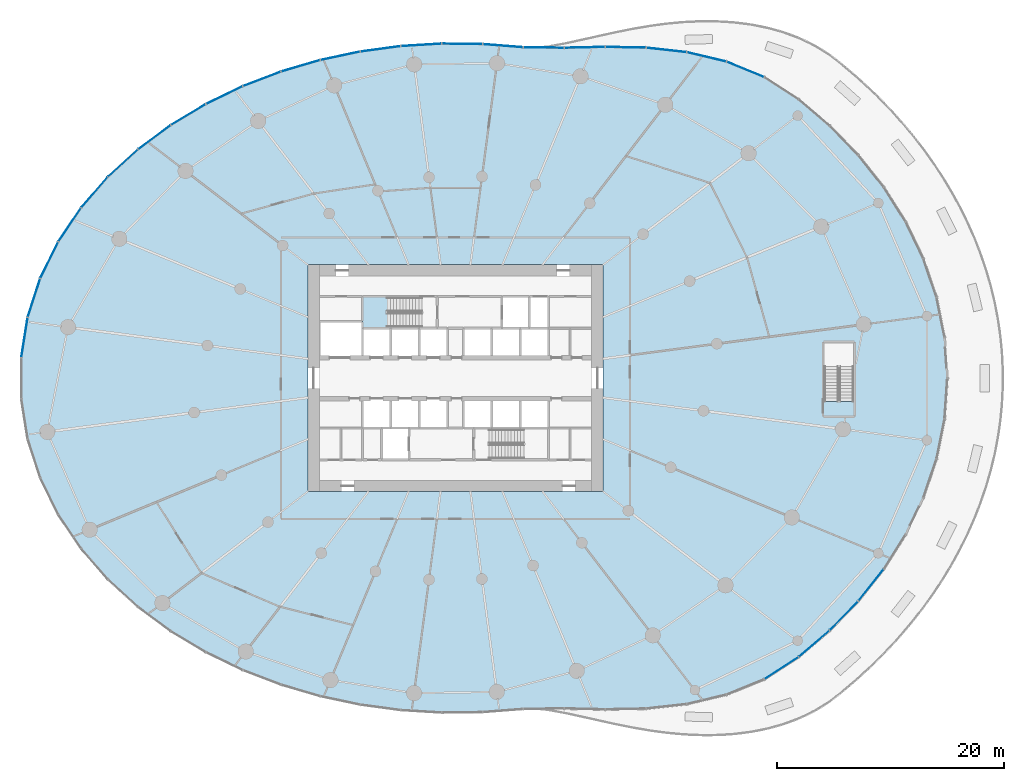
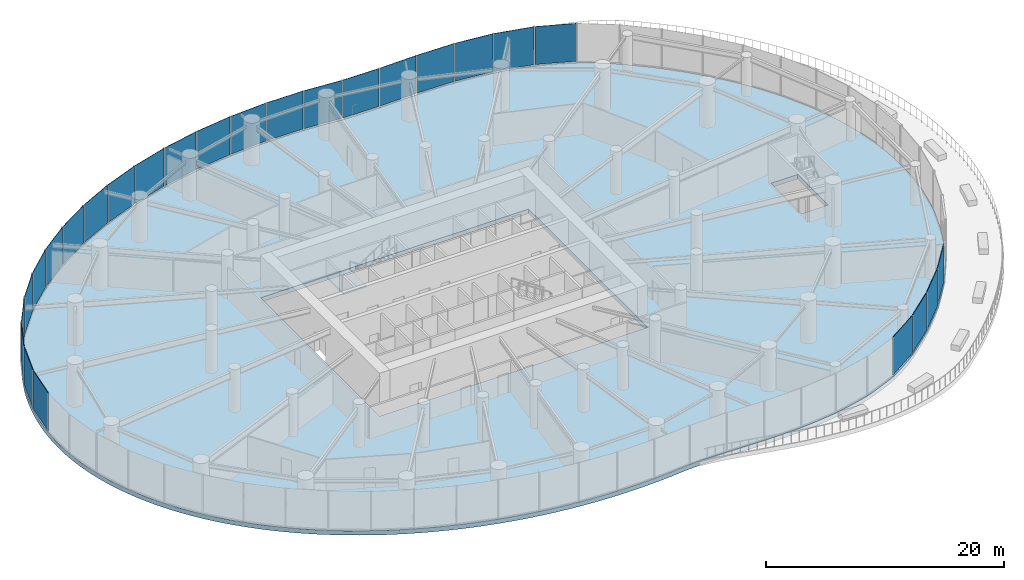
# One storey, part 9 of 19: 26 plates, 2 slabs, 7 elements without a shape of their own.
"""IFC4 building model written with IfcOpenShell, lengths in metres."""

from ifc_helpers import new_model, si_unit, direction, frame, origin, origin_2d, place, context, subcontext, project, spatial, line, indexed_curve, rectangle, outline, extrude, source, transform, mapped, material, layer, layer_set, type_object, element, aggregate, save


model = new_model("IFC4")

# Units and contexts
model_context = context("Model", 3, precision=1e-05, world=origin(), true_north=direction((0.0, 1.0)))
body_context = subcontext(model_context, "Body", "Model", "MODEL_VIEW")
ifc_project = project(units=[si_unit("LENGTHUNIT", "METRE"), si_unit("AREAUNIT", "SQUARE_METRE"), si_unit("VOLUMEUNIT", "CUBIC_METRE"), si_unit("PLANEANGLEUNIT", "RADIAN"), si_unit("MASSUNIT", "GRAM", prefix="KILO")], contexts=[model_context])

# Site, building, storey
site_placement = place(None, origin())
site = spatial("IfcSite", under=ifc_project, at=site_placement, CompositionType="ELEMENT")
building_placement = place(site_placement, origin())
building = spatial("IfcBuilding", under=site, at=building_placement, Name="Spindrift Exchange Tower", CompositionType="ELEMENT")
storey_placement = place(building_placement, frame((0.0, 0.0, 13.800048828125)))
storey = spatial("IfcBuildingStorey", under=building, at=storey_placement, Name="L03", CompositionType="ELEMENT", Elevation=13.800048828125)

# Slab
ifc_material_1 = material(Name="Concrete 50 MPa", Category="concrete")
ifc_layer_1 = layer(ifc_material_1, 0.449951171875)
ifc_layer_set_1 = layer_set([ifc_layer_1], Name="RC Floor Slab 450 Concrete 50 MPa")
slab_type_1 = type_object("IfcSlabType", Name="RC Floor Slab 450 Concrete 50 MPa", PredefinedType="FLOOR", material=ifc_layer_set_1)
slab_1_placement = place(storey_placement, frame((0.0, 0.0, -0.449951171875)))
element("IfcSlab", 1, at=slab_1_placement, inside=storey, type_object=slab_type_1, Name="Floor slab L03", PredefinedType="FLOOR", context=body_context, shape_type="SweptSolid", body=[
    extrude(outline(indexed_curve([(95.35009765625, 48.0), (95.33935546875, 48.756591796875), (95.3076171875, 49.51220703125), (95.25439453125, 50.266845703125), (95.180419921875, 51.01953125), (95.085205078125, 51.76953125), (94.969482421875, 52.516357421875), (94.833251953125, 53.25927734375), (94.677001953125, 53.997802734375), (94.50048828125, 54.7314453125), (94.304443359375, 55.45947265625), (94.08935546875, 56.181396484375), (93.85546875, 56.896728515625), (93.603271484375, 57.60498046875), (93.3330078125, 58.305419921875), (93.04541015625, 58.998046875), (92.74072265625, 59.68212890625), (92.419921875, 60.357666015625), (92.0830078125, 61.023681640625), (91.730712890625, 61.680419921875), (91.36376953125, 62.327392578125), (90.982666015625, 62.964111328125), (90.587646484375, 63.59033203125), (90.1796875, 64.206298828125), (89.759033203125, 64.811279296875), (89.326416015625, 65.405517578125), (88.88232421875, 65.98876953125), (88.42724609375, 66.560546875), (87.9619140625, 67.12109375), (87.486572265625, 67.67041015625), (87.001953125, 68.20849609375), (86.508544921875, 68.73486328125), (86.006591796875, 69.249755859375), (85.4970703125, 69.753173828125), (84.97998046875, 70.2451171875), (84.455810546875, 70.725830078125), (83.92529296875, 71.195068359375), (83.388427734375, 71.65283203125), (82.845947265625, 72.099609375), (82.298095703125, 72.534912109375), (81.745361328125, 72.959228515625), (81.180908203125, 73.366455078125), (80.59912109375, 73.750732421875), (80.001708984375, 74.112060546875), (79.39013671875, 74.4501953125), (78.76611328125, 74.76611328125), (78.130859375, 75.059326171875), (77.486328125, 75.330810546875), (76.83349609375, 75.580322265625), (76.174072265625, 75.80908203125), (75.509033203125, 76.01708984375), (74.840087890625, 76.205078125), (74.168212890625, 76.3740234375), (73.494384765625, 76.524169921875), (72.8203125, 76.656494140625), (72.146484375, 76.77197265625), (71.473876953125, 76.871337890625), (70.8037109375, 76.955322265625), (70.136962890625, 77.025146484375), (69.47412109375, 77.08154296875), (68.81591796875, 77.125732421875), (67.51611328125, 77.181884765625), (66.8759765625, 77.19580078125), (65.616943359375, 77.201416015625), (64.388427734375, 77.185302734375), (60.898193359375, 77.1044921875), (59.79736328125, 77.10009765625), (59.25732421875, 77.10791015625), (58.19580078125, 77.14892578125), (57.6728515625, 77.184814453125), (56.121826171875, 77.3291015625), (55.090576171875, 77.404052734375), (54.5751953125, 77.433349609375), (53.544921875, 77.47607421875), (53.02978515625, 77.489501953125), (52.0, 77.5), (50.97021484375, 77.489501953125), (50.455078125, 77.47607421875), (49.4248046875, 77.433349609375), (48.393798828125, 77.369384765625), (47.362060546875, 77.283447265625), (46.328857421875, 77.17578125), (45.294189453125, 77.04541015625), (44.776611328125, 76.971923828125), (43.739501953125, 76.8076171875), (42.700927734375, 76.61962890625), (42.180908203125, 76.5166015625), (41.1396484375, 76.29248046875), (40.096435546875, 76.04296875), (39.0517578125, 75.767578125), (38.005615234375, 75.4658203125), (37.48193359375, 75.304443359375), (36.43408203125, 74.960693359375), (35.385986328125, 74.587890625), (34.337890625, 74.185302734375), (33.814208984375, 73.97216796875), (32.767578125, 73.522216796875), (32.2451171875, 73.284912109375), (31.20263671875, 72.785400390625), (30.682861328125, 72.522705078125), (29.64697265625, 71.970703125), (29.13134765625, 71.68115234375), (28.10595703125, 71.07421875), (27.596435546875, 70.756591796875), (26.585693359375, 70.09228515625), (26.0849609375, 69.745361328125), (25.587646484375, 69.38818359375), (25.093994140625, 69.021240234375), (24.604736328125, 68.643798828125), (24.119873046875, 68.256103515625), (23.639892578125, 67.85791015625), (23.165283203125, 67.44921875), (22.6962890625, 67.030029296875), (22.233642578125, 66.60009765625), (21.77734375, 66.15966796875), (21.328125, 65.70849609375), (20.886474609375, 65.24658203125), (20.452880859375, 64.77392578125), (20.02783203125, 64.29052734375), (19.61181640625, 63.796875), (19.205078125, 63.29248046875), (18.80859375, 62.777587890625), (18.4228515625, 62.252685546875), (18.04833984375, 61.71728515625), (17.685302734375, 61.172119140625), (17.334716796875, 60.6171875), (16.996826171875, 60.052490234375), (16.67236328125, 59.478759765625), (16.36181640625, 58.895751953125), (16.0654296875, 58.30419921875), (15.7841796875, 57.7041015625), (15.5185546875, 57.095947265625), (15.268798828125, 56.47998046875), (15.035400390625, 55.857177734375), (14.818603515625, 55.227294921875), (14.619384765625, 54.59130859375), (14.43798828125, 53.94921875), (14.2744140625, 53.302001953125), (14.12939453125, 52.64990234375), (14.0029296875, 51.99365234375), (13.895751953125, 51.333740234375), (13.8076171875, 50.670654296875), (13.73876953125, 50.005126953125), (13.689453125, 49.337890625), (13.659912109375, 48.669189453125), (13.64990234375, 48.0), (13.659912109375, 47.330810546875), (13.689453125, 46.662109375), (13.73876953125, 45.994873046875), (13.8076171875, 45.329345703125), (13.895751953125, 44.666259765625), (14.0029296875, 44.00634765625), (14.12939453125, 43.35009765625), (14.2744140625, 42.697998046875), (14.43798828125, 42.05078125), (14.619384765625, 41.40869140625), (14.818603515625, 40.772705078125), (15.035400390625, 40.142822265625), (15.268798828125, 39.52001953125), (15.5185546875, 38.904052734375), (15.7841796875, 38.2958984375), (16.0654296875, 37.69580078125), (16.36181640625, 37.104248046875), (16.67236328125, 36.521240234375), (16.996826171875, 35.947509765625), (17.334716796875, 35.3828125), (17.685302734375, 34.827880859375), (18.04833984375, 34.28271484375), (18.4228515625, 33.747314453125), (18.80859375, 33.222412109375), (19.205078125, 32.70751953125), (19.61181640625, 32.203125), (20.02783203125, 31.70947265625), (20.452880859375, 31.22607421875), (20.886474609375, 30.75341796875), (21.328125, 30.29150390625), (21.77734375, 29.84033203125), (22.233642578125, 29.39990234375), (22.6962890625, 28.969970703125), (23.165283203125, 28.55078125), (23.639892578125, 28.14208984375), (24.119873046875, 27.743896484375), (24.604736328125, 27.356201171875), (25.093994140625, 26.978759765625), (25.587646484375, 26.61181640625), (26.0849609375, 26.254638671875), (26.585693359375, 25.90771484375), (27.596435546875, 25.243408203125), (28.10595703125, 24.92578125), (29.13134765625, 24.31884765625), (29.64697265625, 24.029296875), (30.682861328125, 23.477294921875), (31.20263671875, 23.214599609375), (32.2451171875, 22.715087890625), (32.767578125, 22.477783203125), (33.814208984375, 22.02783203125), (34.337890625, 21.814697265625), (35.385986328125, 21.412109375), (36.43408203125, 21.039306640625), (37.48193359375, 20.695556640625), (38.005615234375, 20.5341796875), (39.0517578125, 20.232421875), (40.096435546875, 19.95703125), (41.1396484375, 19.70751953125), (42.180908203125, 19.4833984375), (42.700927734375, 19.38037109375), (43.739501953125, 19.1923828125), (44.776611328125, 19.028076171875), (45.294189453125, 18.95458984375), (46.328857421875, 18.82421875), (47.362060546875, 18.716552734375), (48.393798828125, 18.630615234375), (49.4248046875, 18.566650390625), (50.455078125, 18.52392578125), (50.97021484375, 18.510498046875), (52.0, 18.5), (53.02978515625, 18.510498046875), (53.544921875, 18.52392578125), (54.5751953125, 18.566650390625), (55.090576171875, 18.595947265625), (56.121826171875, 18.6708984375), (57.6728515625, 18.815185546875), (58.19580078125, 18.85107421875), (59.25732421875, 18.89208984375), (59.79736328125, 18.89990234375), (60.898193359375, 18.8955078125), (64.388427734375, 18.814697265625), (65.616943359375, 18.798583984375), (66.8759765625, 18.80419921875), (67.51611328125, 18.818115234375), (68.81591796875, 18.874267578125), (69.47412109375, 18.91845703125), (70.136962890625, 18.974853515625), (70.8037109375, 19.044677734375), (71.473876953125, 19.128662109375), (72.146484375, 19.22802734375), (72.8203125, 19.343505859375), (73.494384765625, 19.475830078125), (74.168212890625, 19.6259765625), (74.840087890625, 19.794921875), (75.509033203125, 19.98291015625), (76.174072265625, 20.19091796875), (76.83349609375, 20.419677734375), (77.486328125, 20.669189453125), (78.130859375, 20.940673828125), (78.76611328125, 21.23388671875), (79.39013671875, 21.5498046875), (80.001708984375, 21.887939453125), (80.59912109375, 22.249267578125), (81.180908203125, 22.633544921875), (81.745361328125, 23.040771484375), (82.298095703125, 23.465087890625), (82.845947265625, 23.900390625), (83.388427734375, 24.34716796875), (83.92529296875, 24.804931640625), (84.455810546875, 25.274169921875), (84.97998046875, 25.7548828125), (85.4970703125, 26.246826171875), (86.006591796875, 26.750244140625), (86.508544921875, 27.26513671875), (87.001953125, 27.79150390625), (87.486572265625, 28.32958984375), (87.9619140625, 28.87890625), (88.42724609375, 29.439453125), (88.88232421875, 30.01123046875), (89.326416015625, 30.594482421875), (89.759033203125, 31.188720703125), (90.1796875, 31.793701171875), (90.587646484375, 32.40966796875), (90.982666015625, 33.035888671875), (91.36376953125, 33.672607421875), (91.730712890625, 34.319580078125), (92.0830078125, 34.976318359375), (92.419921875, 35.642333984375), (92.74072265625, 36.31787109375), (93.04541015625, 37.001953125), (93.3330078125, 37.694580078125), (93.603271484375, 38.39501953125), (93.85546875, 39.103271484375), (94.08935546875, 39.818603515625), (94.304443359375, 40.54052734375), (94.50048828125, 41.2685546875), (94.677001953125, 42.002197265625), (94.833251953125, 42.74072265625), (94.969482421875, 43.483642578125), (95.085205078125, 44.23046875), (95.180419921875, 44.98046875), (95.25439453125, 45.733154296875), (95.3076171875, 46.48779296875), (95.33935546875, 47.243408203125)], segments=[line(1, 2, 3, 4, 5, 6, 7, 8, 9, 10, 11, 12, 13, 14, 15, 16, 17, 18, 19, 20, 21, 22, 23, 24, 25, 26, 27, 28, 29, 30, 31, 32, 33, 34, 35, 36, 37, 38, 39, 40, 41, 42, 43, 44, 45, 46, 47, 48, 49, 50, 51, 52, 53, 54, 55, 56, 57, 58, 59, 60, 61, 62, 63, 64, 65, 66, 67, 68, 69, 70, 71, 72, 73, 74, 75, 76, 77, 78, 79, 80, 81, 82, 83, 84, 85, 86, 87, 88, 89, 90, 91, 92, 93, 94, 95, 96, 97, 98, 99, 100, 101, 102, 103, 104, 105, 106, 107, 108, 109, 110, 111, 112, 113, 114, 115, 116, 117, 118, 119, 120, 121, 122, 123, 124, 125, 126, 127, 128, 129, 130, 131, 132, 133, 134, 135, 136, 137, 138, 139, 140, 141, 142, 143, 144, 145, 146, 147, 148, 149, 150, 151, 152, 153, 154, 155, 156, 157, 158, 159, 160, 161, 162, 163, 164, 165, 166, 167, 168, 169, 170, 171, 172, 173, 174, 175, 176, 177, 178, 179, 180, 181, 182, 183, 184, 185, 186, 187, 188, 189, 190, 191, 192, 193, 194, 195, 196, 197, 198, 199, 200, 201, 202, 203, 204, 205, 206, 207, 208, 209, 210, 211, 212, 213, 214, 215, 216, 217, 218, 219, 220, 221, 222, 223, 224, 225, 226, 227, 228, 229, 230, 231, 232, 233, 234, 235, 236, 237, 238, 239, 240, 241, 242, 243, 244, 245, 246, 247, 248, 249, 250, 251, 252, 253, 254, 255, 256, 257, 258, 259, 260, 261, 262, 263, 264, 265, 266, 267, 268, 269, 270, 271, 272, 273, 274, 275, 276, 277, 278, 279, 280, 281, 282, 283, 284, 285, 286, 287, 288, 289, 290, 1)], self_intersect=False), holes=[indexed_curve([(39.0, 38.0), (65.0, 38.0), (65.0, 58.0), (39.0, 58.0)], segments=[line(1, 2, 3, 4, 1)], self_intersect=False), indexed_curve([(87.093994140625, 45.9560546875), (84.506103515625, 45.9560546875), (84.506103515625, 51.093994140625), (87.093994140625, 51.093994140625)], segments=[line(1, 2, 3, 4, 1)], self_intersect=False)]), origin(), (0.0, 0.0, 1.0), 0.449951171875),
])

# Stair, slab
stair_type = type_object("IfcStairType", Name="ST-1250-R183", PredefinedType="HALF_TURN_STAIR", material=ifc_material_1)
stair_placement = place(storey_placement, origin())
stair = element("IfcStair", 2, at=stair_placement, inside=storey, type_object=stair_type, Name="L03 Exit stair ST1", PredefinedType="HALF_TURN_STAIR")
ifc_layer_2 = layer(ifc_material_1, 0.199951171875)
ifc_layer_set_2 = layer_set([ifc_layer_2], Name="SL-LANDING")
slab_type_2 = type_object("IfcSlabType", Name="SL-LANDING", PredefinedType="LANDING", material=ifc_layer_set_2)
slab_2_placement = place(storey_placement, frame((0.0, 0.0, 2.0)))
slab_2 = element("IfcSlab", 3, at=slab_2_placement, type_object=slab_type_2, Name="ST1 landing 1", PredefinedType="LANDING", context=body_context, shape_type="SweptSolid", body=[
    extrude(outline(indexed_curve([(46.050048828125, 52.39990234375), (43.800048828125, 52.39990234375), (43.800048828125, 55.199951171875), (46.050048828125, 55.199951171875)], segments=[line(1, 2, 3, 4, 1)], self_intersect=False)), origin(), (0.0, 0.0, 1.0), 0.199951171875),
])
aggregate(stair, [slab_2])

# Curtain wall, plate
ifc_material_2 = material(Name="Fritted laminated glass with bronze frame", Category="glass")
ifc_layer_3 = layer(ifc_material_2, 0.219970703125)
ifc_layer_set_3 = layer_set([ifc_layer_3], Name="PODIUM BRONZE GLAZED WALL")
curtain_wall_type = type_object("IfcCurtainWallType", Name="PODIUM BRONZE GLAZED WALL", PredefinedType="NOTDEFINED", material=ifc_layer_set_3)
curtain_wall_1_placement = place(storey_placement, origin())
curtain_wall_1 = element("IfcCurtainWall", 4, at=curtain_wall_1_placement, inside=storey, type_object=curtain_wall_type, Name="L03 Podium Bronze Glazed Wall run 5", PredefinedType="NOTDEFINED")
ifc_material_3 = material(Name="Bronze fritted laminated glass, dense frit", Category="glass")
ifc_layer_4 = layer(ifc_material_3, 0.0400390625)
ifc_layer_set_4 = layer_set([ifc_layer_4], Name="PODIUM BRONZE GLAZED WALL PANEL DENSE FRIT 420")
plate_type_1 = type_object("IfcPlateType", Name="PODIUM BRONZE GLAZED WALL PANEL DENSE FRIT 420", PredefinedType="CURTAIN_PANEL", material=ifc_layer_set_4)
shared_shape_1 = source(origin(), body_context, "Body", "SweptSolid", [
    extrude(rectangle(XDim=3.514404296875, YDim=0.0400390625, at=origin_2d()), origin(), (0.0, 0.0, 1.0), 3.889892578125),
])
plate_1_placement = place(storey_placement, frame((20.173583984375, 64.37548828125, 0.16015625), z_axis=(0.0, 0.0, 1.0), x_axis=(-0.655875916564, -0.754868718435, 0.0)))
plate_1 = element("IfcPlate", 5, at=plate_1_placement, type_object=plate_type_1, Name="L03 panel CW-P.27", PredefinedType="CURTAIN_PANEL", context=body_context, shape_type="MappedRepresentation", body=[
    mapped(shared_shape_1, transform((0.0, 0.0, 0.0), scale=1.0)),
])

# Curtain wall, plates
curtain_wall_2_placement = place(storey_placement, origin())
curtain_wall_2 = element("IfcCurtainWall", 6, at=curtain_wall_2_placement, inside=storey, type_object=curtain_wall_type, Name="L03 Podium Bronze Glazed Wall run 10", PredefinedType="NOTDEFINED")
ifc_layer_5 = layer(ifc_material_3, 0.0400390625)
ifc_layer_set_5 = layer_set([ifc_layer_5], Name="PODIUM BRONZE GLAZED WALL PANEL DENSE FRIT 180")
plate_type_2 = type_object("IfcPlateType", Name="PODIUM BRONZE GLAZED WALL PANEL DENSE FRIT 180", PredefinedType="CURTAIN_PANEL", material=ifc_layer_set_5)
shared_shape_2 = source(origin(), body_context, "Body", "SweptSolid", [
    extrude(rectangle(XDim=3.51513671875, YDim=0.0400390625, at=origin_2d()), origin(), (0.0, 0.0, 1.0), 3.889892578125),
])
plate_2_placement = place(storey_placement, frame((86.242431640625, 27.05224609375, 0.16015625), z_axis=(0.0, 0.0, 1.0), x_axis=(0.697303977972, 0.716775531324, 0.0)))
plate_2 = element("IfcPlate", 7, at=plate_2_placement, type_object=plate_type_2, Name="L03 panel CW-P.57", PredefinedType="CURTAIN_PANEL", context=body_context, shape_type="MappedRepresentation", body=[
    mapped(shared_shape_2, transform((0.0, 0.0, 0.0), scale=1.0)),
])
plate_3_placement = place(storey_placement, frame((88.62109375, 29.755126953125, 0.16015625), z_axis=(0.0, 0.0, 1.0), x_axis=(0.622290602078, 0.782786309643, 0.0)))
plate_3 = element("IfcPlate", 8, at=plate_3_placement, type_object=plate_type_2, Name="L03 panel CW-P.58", PredefinedType="CURTAIN_PANEL", context=body_context, shape_type="MappedRepresentation", body=[
    mapped(shared_shape_2, transform((0.0, 0.0, 0.0), scale=1.0)),
])

# Curtain wall, plate
curtain_wall_3_placement = place(storey_placement, origin())
curtain_wall_3 = element("IfcCurtainWall", 9, at=curtain_wall_3_placement, inside=storey, type_object=curtain_wall_type, Name="L03 Podium Bronze Glazed Wall run 3", PredefinedType="NOTDEFINED")
shared_shape_3 = source(origin(), body_context, "Body", "SweptSolid", [
    extrude(rectangle(XDim=3.515380859375, YDim=0.0400390625, at=origin_2d()), origin(), (0.0, 0.0, 1.0), 3.889892578125),
])
plate_4_placement = place(storey_placement, frame((59.783203125, 77.140380859375, 0.16015625), z_axis=(0.0, 0.0, 1.0), x_axis=(-0.999916461609, 0.012925548502, 0.0)))
plate_4 = element("IfcPlate", 10, at=plate_4_placement, type_object=plate_type_1, Name="L03 panel CW-P.15", PredefinedType="CURTAIN_PANEL", context=body_context, shape_type="MappedRepresentation", body=[
    mapped(shared_shape_3, transform((0.0, 0.0, 0.0), scale=1.0)),
])

curtain_wall_4_placement = place(storey_placement, origin())
curtain_wall_4 = element("IfcCurtainWall", 11, at=curtain_wall_4_placement, inside=storey, type_object=curtain_wall_type, Name="L03 Podium Bronze Glazed Wall run 4", PredefinedType="NOTDEFINED")
plate_5_placement = place(storey_placement, frame((28.460205078125, 71.23876953125, 0.16015625), z_axis=(0.0, 0.0, 1.0), x_axis=(-0.857710663907, -0.514132684257, 0.0)))
plate_5 = element("IfcPlate", 12, at=plate_5_placement, type_object=plate_type_1, Name="L03 panel CW-P.24", PredefinedType="CURTAIN_PANEL", context=body_context, shape_type="MappedRepresentation", body=[
    mapped(shared_shape_3, transform((0.0, 0.0, 0.0), scale=1.0)),
])

# Plate
plate_6_placement = place(storey_placement, frame((83.61328125, 24.5908203125, 0.16015625), z_axis=(0.0, 0.0, 1.0), x_axis=(0.761090177365, 0.648646083715, 0.0)))
plate_6 = element("IfcPlate", 13, at=plate_6_placement, type_object=plate_type_1, Name="L03 panel CW-P.56", PredefinedType="CURTAIN_PANEL", context=body_context, shape_type="MappedRepresentation", body=[
    mapped(shared_shape_3, transform((0.0, 0.0, 0.0), scale=1.0)),
])

# Curtain wall, plates
curtain_wall_5_placement = place(storey_placement, origin())
curtain_wall_5 = element("IfcCurtainWall", 14, at=curtain_wall_5_placement, inside=storey, type_object=curtain_wall_type, Name="L03 Podium Bronze Glazed Wall run 2", PredefinedType="NOTDEFINED")
shared_shape_4 = source(origin(), body_context, "Body", "SweptSolid", [
    extrude(rectangle(XDim=3.511962890625, YDim=0.0400390625, at=origin_2d()), origin(), (0.0, 0.0, 1.0), 3.889892578125),
])
plate_7_placement = place(storey_placement, frame((77.552490234375, 75.218017578125, 0.16015625), z_axis=(0.0, 0.0, 1.0), x_axis=(-0.925658753953, 0.378359447127, 0.0)))
plate_7 = element("IfcPlate", 15, at=plate_7_placement, type_object=plate_type_1, Name="L03 panel CW-P.10", PredefinedType="CURTAIN_PANEL", context=body_context, shape_type="MappedRepresentation", body=[
    mapped(shared_shape_4, transform((0.0, 0.0, 0.0), scale=1.0)),
])
ifc_layer_6 = layer(ifc_material_3, 0.0400390625)
ifc_layer_set_6 = layer_set([ifc_layer_6], Name="PODIUM BRONZE GLAZED WALL PANEL DENSE FRIT 300")
plate_type_3 = type_object("IfcPlateType", Name="PODIUM BRONZE GLAZED WALL PANEL DENSE FRIT 300", PredefinedType="CURTAIN_PANEL", material=ifc_layer_set_6)
shared_shape_5 = source(origin(), body_context, "Body", "SweptSolid", [
    extrude(rectangle(XDim=3.513427734375, YDim=0.0400390625, at=origin_2d()), origin(), (0.0, 0.0, 1.0), 3.889892578125),
])
plate_8_placement = place(storey_placement, frame((74.132568359375, 76.315673828125, 0.16015625), z_axis=(0.0, 0.0, 1.0), x_axis=(-0.972933398637, 0.231085702322, 0.0)))
plate_8 = element("IfcPlate", 16, at=plate_8_placement, type_object=plate_type_3, Name="L03 panel CW-P.11", PredefinedType="CURTAIN_PANEL", context=body_context, shape_type="MappedRepresentation", body=[
    mapped(shared_shape_5, transform((0.0, 0.0, 0.0), scale=1.0)),
])
shared_shape_6 = source(origin(), body_context, "Body", "SweptSolid", [
    extrude(rectangle(XDim=3.514892578125, YDim=0.0400390625, at=origin_2d()), origin(), (0.0, 0.0, 1.0), 3.889892578125),
])
plate_9_placement = place(storey_placement, frame((70.588134765625, 76.929443359375, 0.16015625), z_axis=(0.0, 0.0, 1.0), x_axis=(-0.993984489819, 0.109520929501, 0.0)))
plate_9 = element("IfcPlate", 17, at=plate_9_placement, type_object=plate_type_2, Name="L03 panel CW-P.12", PredefinedType="CURTAIN_PANEL", context=body_context, shape_type="MappedRepresentation", body=[
    mapped(shared_shape_6, transform((0.0, 0.0, 0.0), scale=1.0)),
])
aggregate(curtain_wall_5, [plate_7, plate_8, plate_9])

# Plate
plate_10_placement = place(storey_placement, frame((25.464599609375, 69.240478515625, 0.16015625), z_axis=(0.0, 0.0, 1.0), x_axis=(-0.804168198895, -0.594401806766, 0.0)))
plate_10 = element("IfcPlate", 18, at=plate_10_placement, type_object=plate_type_2, Name="L03 panel CW-P.25", PredefinedType="CURTAIN_PANEL", context=body_context, shape_type="MappedRepresentation", body=[
    mapped(shared_shape_6, transform((0.0, 0.0, 0.0), scale=1.0)),
])

shared_shape_7 = source(origin(), body_context, "Body", "SweptSolid", [
    extrude(rectangle(XDim=3.515869140625, YDim=0.0400390625, at=origin_2d()), origin(), (0.0, 0.0, 1.0), 3.889892578125),
])
plate_11_placement = place(storey_placement, frame((66.994140625, 77.162109375, 0.16015625), z_axis=(0.0, 0.0, 1.0), x_axis=(-0.999808301304, 0.019579597654, 0.0)))
plate_11 = element("IfcPlate", 19, at=plate_11_placement, type_object=plate_type_1, Name="L03 panel CW-P.13", PredefinedType="CURTAIN_PANEL", context=body_context, shape_type="MappedRepresentation", body=[
    mapped(shared_shape_7, transform((0.0, 0.0, 0.0), scale=1.0)),
])

shared_shape_8 = source(origin(), body_context, "Body", "SweptSolid", [
    extrude(rectangle(XDim=3.5166015625, YDim=0.0400390625, at=origin_2d()), origin(), (0.0, 0.0, 1.0), 3.889892578125),
])
plate_12_placement = place(storey_placement, frame((63.388671875, 77.1572265625, 0.16015625), z_axis=(0.0, 0.0, 1.0), x_axis=(-0.999751480441, -0.022292988933, 0.0)))
plate_12 = element("IfcPlate", 20, at=plate_12_placement, type_object=plate_type_2, Name="L03 panel CW-P.14", PredefinedType="CURTAIN_PANEL", context=body_context, shape_type="MappedRepresentation", body=[
    mapped(shared_shape_8, transform((0.0, 0.0, 0.0), scale=1.0)),
])

shared_shape_9 = source(origin(), body_context, "Body", "SweptSolid", [
    extrude(rectangle(XDim=3.51611328125, YDim=0.0400390625, at=origin_2d()), origin(), (0.0, 0.0, 1.0), 3.889892578125),
])
plate_13_placement = place(storey_placement, frame((56.18310546875, 77.302978515625, 0.16015625), z_axis=(0.0, 0.0, 1.0), x_axis=(-0.997011097303, 0.077258474325, 0.0)))
plate_13 = element("IfcPlate", 21, at=plate_13_placement, type_object=plate_type_1, Name="L03 panel CW-P.16", PredefinedType="CURTAIN_PANEL", context=body_context, shape_type="MappedRepresentation", body=[
    mapped(shared_shape_9, transform((0.0, 0.0, 0.0), scale=1.0)),
])

shared_shape_10 = source(origin(), body_context, "Body", "SweptSolid", [
    extrude(rectangle(XDim=3.515625, YDim=0.0400390625, at=origin_2d()), origin(), (0.0, 0.0, 1.0), 3.889892578125),
])
plate_14_placement = place(storey_placement, frame((52.582763671875, 77.46337890625, 0.16015625), z_axis=(0.0, 0.0, 1.0), x_axis=(-0.999931179666, 0.011731834095, 0.0)))
plate_14 = element("IfcPlate", 22, at=plate_14_placement, type_object=plate_type_3, Name="L03 panel CW-P.17", PredefinedType="CURTAIN_PANEL", context=body_context, shape_type="MappedRepresentation", body=[
    mapped(shared_shape_10, transform((0.0, 0.0, 0.0), scale=1.0)),
])

plate_15_placement = place(storey_placement, frame((38.349853515625, 75.53076171875, 0.16015625), z_axis=(0.0, 0.0, 1.0), x_axis=(-0.959495119257, -0.281725249352, 0.0)))
plate_15 = element("IfcPlate", 23, at=plate_15_placement, type_object=plate_type_3, Name="L03 panel CW-P.21", PredefinedType="CURTAIN_PANEL", context=body_context, shape_type="MappedRepresentation", body=[
    mapped(shared_shape_10, transform((0.0, 0.0, 0.0), scale=1.0)),
])

shared_shape_11 = source(origin(), body_context, "Body", "SweptSolid", [
    extrude(rectangle(XDim=3.515869140625, YDim=0.0400390625, at=origin_2d()), origin(), (0.0, 0.0, 1.0), 3.889892578125),
])
plate_16_placement = place(storey_placement, frame((48.98046875, 77.375, 0.16015625), z_axis=(0.0, 0.0, 1.0), x_axis=(-0.998153822126, -0.06073670534, 0.0)))
plate_16 = element("IfcPlate", 24, at=plate_16_placement, type_object=plate_type_2, Name="L03 panel CW-P.18", PredefinedType="CURTAIN_PANEL", context=body_context, shape_type="MappedRepresentation", body=[
    mapped(shared_shape_11, transform((0.0, 0.0, 0.0), scale=1.0)),
])

aggregate(curtain_wall_3, [plate_11, plate_12, plate_4, plate_13, plate_14, plate_16])

shared_shape_12 = source(origin(), body_context, "Body", "SweptSolid", [
    extrude(rectangle(XDim=3.515625, YDim=0.0400390625, at=origin_2d()), origin(), (0.0, 0.0, 1.0), 3.889892578125),
])
plate_17_placement = place(storey_placement, frame((45.39404296875, 77.02490234375, 0.16015625), z_axis=(0.0, 0.0, 1.0), x_axis=(-0.991058808668, -0.133425776228, 0.0)))
plate_17 = element("IfcPlate", 25, at=plate_17_placement, type_object=plate_type_1, Name="L03 panel CW-P.19", PredefinedType="CURTAIN_PANEL", context=body_context, shape_type="MappedRepresentation", body=[
    mapped(shared_shape_12, transform((0.0, 0.0, 0.0), scale=1.0)),
])

shared_shape_13 = source(origin(), body_context, "Body", "SweptSolid", [
    extrude(rectangle(XDim=3.515625, YDim=0.0400390625, at=origin_2d()), origin(), (0.0, 0.0, 1.0), 3.889892578125),
])
plate_18_placement = place(storey_placement, frame((41.843505859375, 76.41162109375, 0.16015625), z_axis=(0.0, 0.0, 1.0), x_axis=(-0.978380312938, -0.206813837196, 0.0)))
plate_18 = element("IfcPlate", 26, at=plate_18_placement, type_object=plate_type_2, Name="L03 panel CW-P.20", PredefinedType="CURTAIN_PANEL", context=body_context, shape_type="MappedRepresentation", body=[
    mapped(shared_shape_13, transform((0.0, 0.0, 0.0), scale=1.0)),
])

shared_shape_14 = source(origin(), body_context, "Body", "SweptSolid", [
    extrude(rectangle(XDim=3.515380859375, YDim=0.0400390625, at=origin_2d()), origin(), (0.0, 0.0, 1.0), 3.889892578125),
])
plate_19_placement = place(storey_placement, frame((34.936279296875, 74.378662109375, 0.16015625), z_axis=(0.0, 0.0, 1.0), x_axis=(-0.933984510313, -0.3573134961, 0.0)))
plate_19 = element("IfcPlate", 27, at=plate_19_placement, type_object=plate_type_3, Name="L03 panel CW-P.22", PredefinedType="CURTAIN_PANEL", context=body_context, shape_type="MappedRepresentation", body=[
    mapped(shared_shape_14, transform((0.0, 0.0, 0.0), scale=1.0)),
])

shared_shape_15 = source(origin(), body_context, "Body", "SweptSolid", [
    extrude(rectangle(XDim=3.515380859375, YDim=0.0400390625, at=origin_2d()), origin(), (0.0, 0.0, 1.0), 3.889892578125),
])
plate_20_placement = place(storey_placement, frame((31.629638671875, 72.9501953125, 0.16015625), z_axis=(0.0, 0.0, 1.0), x_axis=(-0.900343077888, -0.435180815408, 0.0)))
plate_20 = element("IfcPlate", 28, at=plate_20_placement, type_object=plate_type_2, Name="L03 panel CW-P.23", PredefinedType="CURTAIN_PANEL", context=body_context, shape_type="MappedRepresentation", body=[
    mapped(shared_shape_15, transform((0.0, 0.0, 0.0), scale=1.0)),
])

aggregate(curtain_wall_4, [plate_17, plate_18, plate_15, plate_19, plate_20, plate_5])

shared_shape_16 = source(origin(), body_context, "Body", "SweptSolid", [
    extrude(rectangle(XDim=3.514892578125, YDim=0.0400390625, at=origin_2d()), origin(), (0.0, 0.0, 1.0), 3.889892578125),
])
plate_21_placement = place(storey_placement, frame((22.685302734375, 66.95263671875, 0.16015625), z_axis=(0.0, 0.0, 1.0), x_axis=(-0.737798291666, -0.675021244713, 0.0)))
plate_21 = element("IfcPlate", 29, at=plate_21_placement, type_object=plate_type_3, Name="L03 panel CW-P.26", PredefinedType="CURTAIN_PANEL", context=body_context, shape_type="MappedRepresentation", body=[
    mapped(shared_shape_16, transform((0.0, 0.0, 0.0), scale=1.0)),
])

shared_shape_17 = source(origin(), body_context, "Body", "SweptSolid", [
    extrude(rectangle(XDim=3.513916015625, YDim=0.0400390625, at=origin_2d()), origin(), (0.0, 0.0, 1.0), 3.889892578125),
])
plate_22_placement = place(storey_placement, frame((17.986083984375, 61.519775390625, 0.16015625), z_axis=(0.0, 0.0, 1.0), x_axis=(-0.557949350994, -0.829875003675, 0.0)))
plate_22 = element("IfcPlate", 30, at=plate_22_placement, type_object=plate_type_3, Name="L03 panel CW-P.28", PredefinedType="CURTAIN_PANEL", context=body_context, shape_type="MappedRepresentation", body=[
    mapped(shared_shape_17, transform((0.0, 0.0, 0.0), scale=1.0)),
])

shared_shape_18 = source(origin(), body_context, "Body", "SweptSolid", [
    extrude(rectangle(XDim=3.513671875, YDim=0.0400390625, at=origin_2d()), origin(), (0.0, 0.0, 1.0), 3.889892578125),
])
plate_23_placement = place(storey_placement, frame((16.1875, 58.406494140625, 0.16015625), z_axis=(0.0, 0.0, 1.0), x_axis=(-0.440340368501, -0.897830919421, 0.0)))
plate_23 = element("IfcPlate", 31, at=plate_23_placement, type_object=plate_type_2, Name="L03 panel CW-P.29", PredefinedType="CURTAIN_PANEL", context=body_context, shape_type="MappedRepresentation", body=[
    mapped(shared_shape_18, transform((0.0, 0.0, 0.0), scale=1.0)),
])

shared_shape_19 = source(origin(), body_context, "Body", "SweptSolid", [
    extrude(rectangle(XDim=3.51318359375, YDim=0.0400390625, at=origin_2d()), origin(), (0.0, 0.0, 1.0), 3.889892578125),
])
plate_24_placement = place(storey_placement, frame((14.841552734375, 55.07421875, 0.16015625), z_axis=(0.0, 0.0, 1.0), x_axis=(-0.306678914946, -0.951813029501, 0.0)))
plate_24 = element("IfcPlate", 32, at=plate_24_placement, type_object=plate_type_2, Name="L03 panel CW-P.30", PredefinedType="CURTAIN_PANEL", context=body_context, shape_type="MappedRepresentation", body=[
    mapped(shared_shape_19, transform((0.0, 0.0, 0.0), scale=1.0)),
])

aggregate(curtain_wall_1, [plate_10, plate_21, plate_1, plate_22, plate_23, plate_24])

# Curtain wall, plate
curtain_wall_6_placement = place(storey_placement, origin())
curtain_wall_6 = element("IfcCurtainWall", 33, at=curtain_wall_6_placement, inside=storey, type_object=curtain_wall_type, Name="L03 Podium Bronze Glazed Wall run 6", PredefinedType="NOTDEFINED")
shared_shape_20 = source(origin(), body_context, "Body", "SweptSolid", [
    extrude(rectangle(XDim=3.5126953125, YDim=0.0400390625, at=origin_2d()), origin(), (0.0, 0.0, 1.0), 3.889892578125),
])
plate_25_placement = place(storey_placement, frame((14.00634765625, 51.580322265625, 0.16015625), z_axis=(0.0, 0.0, 1.0), x_axis=(-0.156908503375, -0.98761314368, 0.0)))
plate_25 = element("IfcPlate", 34, at=plate_25_placement, type_object=plate_type_3, Name="L03 panel CW-P.31", PredefinedType="CURTAIN_PANEL", context=body_context, shape_type="MappedRepresentation", body=[
    mapped(shared_shape_20, transform((0.0, 0.0, 0.0), scale=1.0)),
])
aggregate(curtain_wall_6, [plate_25])

# Plate
shared_shape_21 = source(origin(), body_context, "Body", "SweptSolid", [
    extrude(rectangle(XDim=3.510498046875, YDim=0.0400390625, at=origin_2d()), origin(), (0.0, 0.0, 1.0), 3.889892578125),
])
plate_26_placement = place(storey_placement, frame((80.73046875, 22.4423828125, 0.16015625), z_axis=(0.0, 0.0, 1.0), x_axis=(0.83921767493, 0.543795636324, 0.0)))
plate_26 = element("IfcPlate", 35, at=plate_26_placement, type_object=plate_type_2, Name="L03 panel CW-P.55", PredefinedType="CURTAIN_PANEL", context=body_context, shape_type="MappedRepresentation", body=[
    mapped(shared_shape_21, transform((0.0, 0.0, 0.0), scale=1.0)),
])

aggregate(curtain_wall_2, [plate_26, plate_6, plate_2, plate_3])

save(model, "model.ifc")
